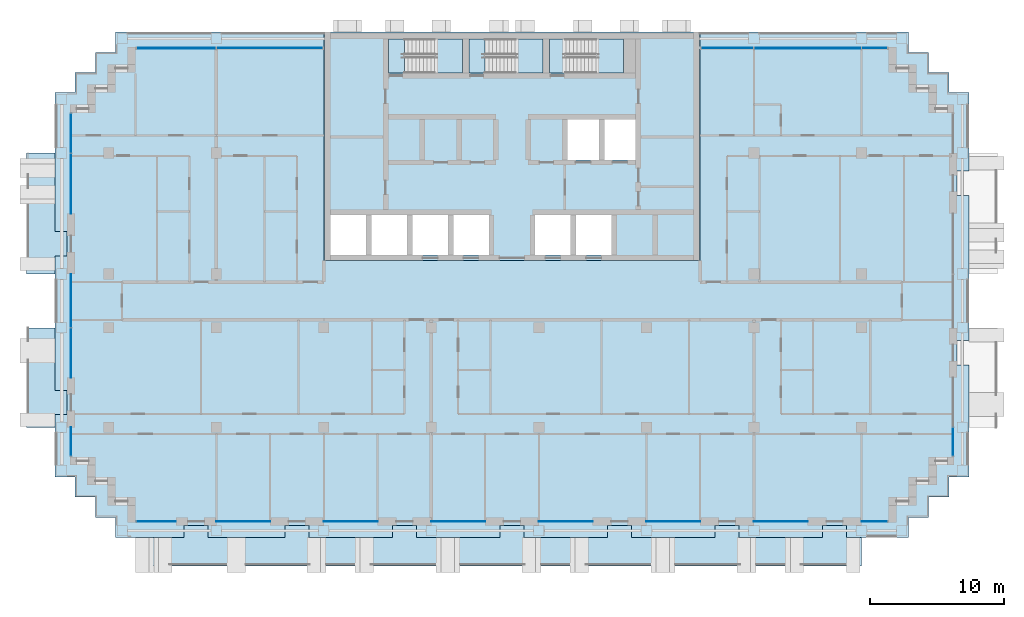
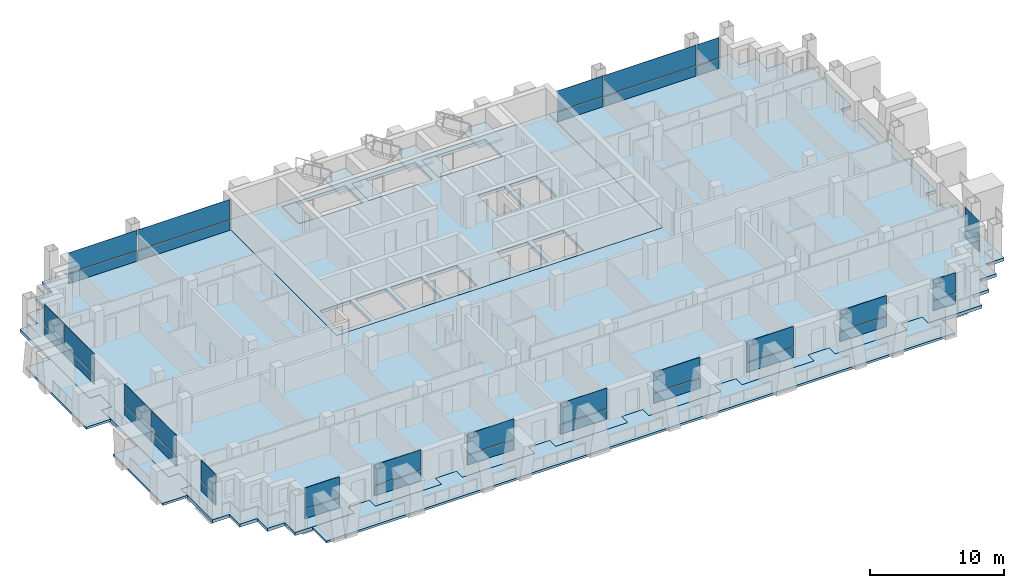
# One storey, part 6 of 17: 38 plates, 11 slabs, 17 elements without a shape of their own.
"""IFC4 building model written with IfcOpenShell, lengths in metres."""

from ifc_helpers import new_model, si_unit, direction, frame, origin, origin_2d, place, context, subcontext, project, spatial, polyline, rectangle, outline, extrude, material, layer, layer_set, type_object, element, aggregate, save


model = new_model("IFC4")

# Units and contexts
model_context = context("Model", 3, precision=1e-05, world=origin(), true_north=direction((0.0, 1.0)))
body_context = subcontext(model_context, "Body", "Model", "MODEL_VIEW")
ifc_project = project(units=[si_unit("LENGTHUNIT", "METRE"), si_unit("AREAUNIT", "SQUARE_METRE"), si_unit("VOLUMEUNIT", "CUBIC_METRE"), si_unit("PLANEANGLEUNIT", "RADIAN"), si_unit("MASSUNIT", "GRAM", prefix="KILO")], contexts=[model_context])

# Site, building, storey
site_placement = place(None, origin())
site = spatial("IfcSite", under=ifc_project, at=site_placement, CompositionType="ELEMENT")
building_placement = place(site_placement, origin())
building = spatial("IfcBuilding", under=site, at=building_placement, Name="Vidyagriha Tower", CompositionType="ELEMENT")
storey_placement = place(building_placement, frame((0.0, 0.0, 148.60009765625)))
storey = spatial("IfcBuildingStorey", under=building, at=storey_placement, Name="L39", CompositionType="ELEMENT", Elevation=148.60009765625)

# Curtain wall, plates
ifc_material_1 = material(Name="Aluminium and glass curtain wall", Category="aluminium")
curtain_wall_type = type_object("IfcCurtainWallType", Name="Dwelling skin unitised curtain wall", PredefinedType="USERDEFINED", material=ifc_material_1)
curtain_wall_1_placement = place(storey_placement, origin())
curtain_wall_1 = element("IfcCurtainWall", 1, at=curtain_wall_1_placement, inside=storey, type_object=curtain_wall_type, Name="CW1 dwelling skin", ObjectType="UNITISED", PredefinedType="USERDEFINED")
ifc_material_2 = material(Name="Glass dark ceramic-fritted spandrel", Category="glass")
ifc_layer_1 = layer(ifc_material_2, 0.0400390625)
ifc_layer_set_1 = layer_set([ifc_layer_1], Name="Glass dark ceramic-fritted spandrel")
plate_type_1 = type_object("IfcPlateType", Name="Ceramic-fritted spandrel panel", PredefinedType="CURTAIN_PANEL", material=ifc_layer_set_1)
plate_1_placement = place(storey_placement, frame((26.982421875, 18.800048828125, -0.000244140625), z_axis=(0.0, 0.0, 1.0), x_axis=(-1.0, 0.0, 0.0)))
plate_1 = element("IfcPlate", 2, at=plate_1_placement, type_object=plate_type_1, Name="CW1 panel 1.1", PredefinedType="CURTAIN_PANEL", context=body_context, shape_type="SweptSolid", body=[
    extrude(rectangle(XDim=1.89501953125, YDim=0.0400390625, at=origin_2d()), origin(), (0.0, 0.0, 1.0), 0.85009765625),
])
plate_2_placement = place(storey_placement, frame((16.017578125, 18.800048828125, -0.000244140625), z_axis=(0.0, 0.0, 1.0), x_axis=(-1.0, 0.0, 0.0)))
plate_2 = element("IfcPlate", 3, at=plate_2_placement, type_object=plate_type_1, Name="CW1 panel 3.1", PredefinedType="CURTAIN_PANEL", context=body_context, shape_type="SweptSolid", body=[
    extrude(rectangle(XDim=3.89501953125, YDim=0.0400390625, at=origin_2d()), origin(), (0.0, 0.0, 1.0), 0.85009765625),
])

# Curtain wall, plate
curtain_wall_2_placement = place(storey_placement, origin())
curtain_wall_2 = element("IfcCurtainWall", 4, at=curtain_wall_2_placement, inside=storey, type_object=curtain_wall_type, Name="CW1 dwelling skin", ObjectType="UNITISED", PredefinedType="USERDEFINED")
plate_3_placement = place(storey_placement, frame((-18.017578125, 18.800048828125, -0.000244140625), z_axis=(0.0, 0.0, 1.0), x_axis=(-1.0, 0.0, 0.0)))
plate_3 = element("IfcPlate", 5, at=plate_3_placement, type_object=plate_type_1, Name="CW1 panel 1.1", PredefinedType="CURTAIN_PANEL", context=body_context, shape_type="SweptSolid", body=[
    extrude(rectangle(XDim=7.89501953125, YDim=0.0400390625, at=origin_2d()), origin(), (0.0, 0.0, 1.0), 0.85009765625),
])

# Curtain wall, plates
curtain_wall_3_placement = place(storey_placement, origin())
curtain_wall_3 = element("IfcCurtainWall", 6, at=curtain_wall_3_placement, inside=storey, type_object=curtain_wall_type, Name="CW1 dwelling skin", ObjectType="UNITISED", PredefinedType="USERDEFINED")
plate_4_placement = place(storey_placement, frame((-32.800048828125, 12.482421875, -0.000244140625), z_axis=(0.0, 0.0, 1.0), x_axis=(0.0, -1.0, 0.0)))
plate_4 = element("IfcPlate", 7, at=plate_4_placement, type_object=plate_type_1, Name="CW1 panel 1.1", PredefinedType="CURTAIN_PANEL", context=body_context, shape_type="SweptSolid", body=[
    extrude(rectangle(XDim=2.89501953125, YDim=0.0400390625, at=origin_2d()), origin(), (0.0, 0.0, 1.0), 0.85009765625),
])
plate_5_placement = place(storey_placement, frame((-32.800048828125, 8.732421875, -0.000244140625), z_axis=(0.0, 0.0, 1.0), x_axis=(0.0, -1.0, 0.0)))
plate_5 = element("IfcPlate", 8, at=plate_5_placement, type_object=plate_type_1, Name="CW1 panel 2.1", PredefinedType="CURTAIN_PANEL", context=body_context, shape_type="SweptSolid", body=[
    extrude(rectangle(XDim=4.465087890625, YDim=0.0400390625, at=origin_2d()), origin(), (0.0, 0.0, 1.0), 0.85009765625),
])

# Curtain wall, plate
curtain_wall_4_placement = place(storey_placement, origin())
curtain_wall_4 = element("IfcCurtainWall", 9, at=curtain_wall_4_placement, inside=storey, type_object=curtain_wall_type, Name="CW1 dwelling skin", ObjectType="UNITISED", PredefinedType="USERDEFINED")
plate_6_placement = place(storey_placement, frame((-32.800048828125, -10.465087890625, -0.000244140625), z_axis=(0.0, 0.0, 1.0), x_axis=(0.0, -1.0, 0.0)))
plate_6 = element("IfcPlate", 10, at=plate_6_placement, type_object=plate_type_1, Name="CW1 panel 1.1", PredefinedType="CURTAIN_PANEL", context=body_context, shape_type="SweptSolid", body=[
    extrude(rectangle(XDim=2.1298828125, YDim=0.0400390625, at=origin_2d()), origin(), (0.0, 0.0, 1.0), 0.85009765625),
])

curtain_wall_5_placement = place(storey_placement, origin())
curtain_wall_5 = element("IfcCurtainWall", 11, at=curtain_wall_5_placement, inside=storey, type_object=curtain_wall_type, Name="CW1 dwelling skin", ObjectType="UNITISED", PredefinedType="USERDEFINED")
plate_7_placement = place(storey_placement, frame((-26.465087890625, -16.39990234375, -0.000244140625)))
plate_7 = element("IfcPlate", 12, at=plate_7_placement, type_object=plate_type_1, Name="CW1 panel 1.1", PredefinedType="CURTAIN_PANEL", context=body_context, shape_type="SweptSolid", body=[
    extrude(rectangle(XDim=2.929931640625, YDim=0.0400390625, at=origin_2d()), origin(), (0.0, 0.0, 1.0), 0.85009765625),
])

curtain_wall_6_placement = place(storey_placement, origin())
curtain_wall_6 = element("IfcCurtainWall", 13, at=curtain_wall_6_placement, inside=storey, type_object=curtain_wall_type, Name="CW1 dwelling skin", ObjectType="UNITISED", PredefinedType="USERDEFINED")
plate_8_placement = place(storey_placement, frame((-12.0, -16.39990234375, -0.000244140625)))
plate_8 = element("IfcPlate", 14, at=plate_8_placement, type_object=plate_type_1, Name="CW1 panel 1.1", PredefinedType="CURTAIN_PANEL", context=body_context, shape_type="SweptSolid", body=[
    extrude(rectangle(XDim=4.0, YDim=0.0400390625, at=origin_2d()), origin(), (0.0, 0.0, 1.0), 0.85009765625),
])

curtain_wall_7_placement = place(storey_placement, origin())
curtain_wall_7 = element("IfcCurtainWall", 15, at=curtain_wall_7_placement, inside=storey, type_object=curtain_wall_type, Name="CW1 dwelling skin", ObjectType="UNITISED", PredefinedType="USERDEFINED")
plate_9_placement = place(storey_placement, frame((4.0, -16.39990234375, -0.000244140625)))
plate_9 = element("IfcPlate", 16, at=plate_9_placement, type_object=plate_type_1, Name="CW1 panel 1.1", PredefinedType="CURTAIN_PANEL", context=body_context, shape_type="SweptSolid", body=[
    extrude(rectangle(XDim=4.0, YDim=0.0400390625, at=origin_2d()), origin(), (0.0, 0.0, 1.0), 0.85009765625),
])

curtain_wall_8_placement = place(storey_placement, origin())
curtain_wall_8 = element("IfcCurtainWall", 17, at=curtain_wall_8_placement, inside=storey, type_object=curtain_wall_type, Name="CW1 dwelling skin", ObjectType="UNITISED", PredefinedType="USERDEFINED")
plate_10_placement = place(storey_placement, frame((20.0, -16.39990234375, -0.000244140625)))
plate_10 = element("IfcPlate", 18, at=plate_10_placement, type_object=plate_type_1, Name="CW1 panel 1.1", PredefinedType="CURTAIN_PANEL", context=body_context, shape_type="SweptSolid", body=[
    extrude(rectangle(XDim=4.0, YDim=0.0400390625, at=origin_2d()), origin(), (0.0, 0.0, 1.0), 0.85009765625),
])

curtain_wall_9_placement = place(storey_placement, origin())
curtain_wall_9 = element("IfcCurtainWall", 19, at=curtain_wall_9_placement, inside=storey, type_object=curtain_wall_type, Name="CW1 dwelling skin", ObjectType="UNITISED", PredefinedType="USERDEFINED")
plate_11_placement = place(storey_placement, frame((26.965087890625, -16.39990234375, -0.000244140625)))
plate_11 = element("IfcPlate", 20, at=plate_11_placement, type_object=plate_type_1, Name="CW1 panel 1.1", PredefinedType="CURTAIN_PANEL", context=body_context, shape_type="SweptSolid", body=[
    extrude(rectangle(XDim=1.929931640625, YDim=0.0400390625, at=origin_2d()), origin(), (0.0, 0.0, 1.0), 0.85009765625),
])

curtain_wall_10_placement = place(storey_placement, origin())
curtain_wall_10 = element("IfcCurtainWall", 21, at=curtain_wall_10_placement, inside=storey, type_object=curtain_wall_type, Name="CW1 dwelling skin", ObjectType="UNITISED", PredefinedType="USERDEFINED")
plate_12_placement = place(storey_placement, frame((32.800048828125, -10.482421875, -0.000244140625), z_axis=(0.0, 0.0, 1.0), x_axis=(0.0, 1.0, 0.0)))
plate_12 = element("IfcPlate", 22, at=plate_12_placement, type_object=plate_type_1, Name="CW1 panel 1.1", PredefinedType="CURTAIN_PANEL", context=body_context, shape_type="SweptSolid", body=[
    extrude(rectangle(XDim=2.094970703125, YDim=0.0400390625, at=origin_2d()), origin(), (0.0, 0.0, 1.0), 0.85009765625),
])

# Slab
ifc_material_3 = material(Name="Concrete C60/75", Category="concrete")
ifc_layer_2 = layer(ifc_material_3, 0.280029296875)
ifc_layer_set_2 = layer_set([ifc_layer_2], Name="Concrete C60/75")
slab_type_1 = type_object("IfcSlabType", Name="Core floor slab 280 mm", PredefinedType="FLOOR", material=ifc_layer_set_2)
slab_1_placement = place(storey_placement, frame((0.0, 0.0, -0.280029296875)))
element("IfcSlab", 23, at=slab_1_placement, inside=storey, type_object=slab_type_1, Name="L39 core floor 1", PredefinedType="FLOOR", context=body_context, shape_type="SweptSolid", body=[
    extrude(outline(polyline([(-14.0, 3.0), (-14.0, 20.0), (14.0, 20.0), (14.0, 3.0), (-14.0, 3.0)]), holes=[polyline([(9.199951171875, 13.5), (6.86669921875, 13.5), (6.86669921875, 10.5), (9.199951171875, 10.5), (9.199951171875, 13.5)]), polyline([(4.0, 19.5), (2.800048828125, 19.5), (2.800048828125, 16.949951171875), (4.0, 16.949951171875), (8.300048828125, 16.949951171875), (8.300048828125, 19.5), (4.0, 19.5)]), polyline([(7.4111328125, 6.39990234375), (4.7666015625, 6.39990234375), (4.7666015625, 3.39990234375), (7.4111328125, 3.39990234375), (7.4111328125, 6.39990234375)]), polyline([(6.466796875, 13.5), (4.13330078125, 13.5), (4.13330078125, 10.5), (6.466796875, 10.5), (6.466796875, 13.5)]), polyline([(1.72216796875, 6.39990234375), (1.72216796875, 3.39990234375), (4.36669921875, 3.39990234375), (4.36669921875, 6.39990234375), (1.72216796875, 6.39990234375)]), polyline([(-2.0, 16.949951171875), (2.300048828125, 16.949951171875), (2.300048828125, 19.5), (-2.0, 19.5), (-3.199951171875, 19.5), (-3.199951171875, 16.949951171875), (-2.0, 16.949951171875)]), polyline([(-1.72216796875, 6.39990234375), (-4.36669921875, 6.39990234375), (-4.36669921875, 3.39990234375), (-1.72216796875, 3.39990234375), (-1.72216796875, 6.39990234375)]), polyline([(-8.0, 19.5), (-9.199951171875, 19.5), (-9.199951171875, 16.949951171875), (-8.0, 16.949951171875), (-3.699951171875, 16.949951171875), (-3.699951171875, 19.5), (-8.0, 19.5)]), polyline([(-4.7666015625, 6.39990234375), (-7.4111328125, 6.39990234375), (-7.4111328125, 3.39990234375), (-4.7666015625, 3.39990234375), (-4.7666015625, 6.39990234375)]), polyline([(-7.81103515625, 6.39990234375), (-10.45556640625, 6.39990234375), (-10.45556640625, 3.39990234375), (-7.81103515625, 3.39990234375), (-7.81103515625, 6.39990234375)]), polyline([(-13.5, 6.39990234375), (-13.5, 3.39990234375), (-10.855712890625, 3.39990234375), (-10.855712890625, 6.39990234375), (-13.5, 6.39990234375)])]), origin(), (0.0, 0.0, 1.0), 0.280029296875),
])

# Plate
ifc_material_4 = material(Name="Glass dark ceramic-fritted", Category="glass")
ifc_layer_3 = layer(ifc_material_4, 0.028076171875)
ifc_layer_set_3 = layer_set([ifc_layer_3], Name="Glass dark ceramic-fritted")
plate_type_2 = type_object("IfcPlateType", Name="Dark ceramic-fritted vision glass panel", PredefinedType="CURTAIN_PANEL", material=ifc_layer_set_3)
plate_13_placement = place(storey_placement, frame((26.982421875, 18.800048828125, 0.949951171875), z_axis=(0.0, 0.0, 1.0), x_axis=(-1.0, 0.0, 0.0)))
plate_13 = element("IfcPlate", 24, at=plate_13_placement, type_object=plate_type_2, Name="CW1 panel 1.2", PredefinedType="CURTAIN_PANEL", context=body_context, shape_type="SweptSolid", body=[
    extrude(rectangle(XDim=1.89501953125, YDim=0.028076171875, at=origin_2d()), origin(), (0.0, 0.0, 1.0), 1.85009765625),
])

plate_14_placement = place(storey_placement, frame((22.0, 18.800048828125, 0.949951171875), z_axis=(0.0, 0.0, 1.0), x_axis=(-1.0, 0.0, 0.0)))
plate_14 = element("IfcPlate", 25, at=plate_14_placement, type_object=plate_type_2, Name="CW1 panel 2.2", PredefinedType="CURTAIN_PANEL", context=body_context, shape_type="SweptSolid", body=[
    extrude(rectangle(XDim=7.929931640625, YDim=0.028076171875, at=origin_2d()), origin(), (0.0, 0.0, 1.0), 1.85009765625),
])

plate_15_placement = place(storey_placement, frame((16.017578125, 18.800048828125, 0.949951171875), z_axis=(0.0, 0.0, 1.0), x_axis=(-1.0, 0.0, 0.0)))
plate_15 = element("IfcPlate", 26, at=plate_15_placement, type_object=plate_type_2, Name="CW1 panel 3.2", PredefinedType="CURTAIN_PANEL", context=body_context, shape_type="SweptSolid", body=[
    extrude(rectangle(XDim=3.89501953125, YDim=0.028076171875, at=origin_2d()), origin(), (0.0, 0.0, 1.0), 1.85009765625),
])

plate_16_placement = place(storey_placement, frame((-18.017578125, 18.800048828125, 0.949951171875), z_axis=(0.0, 0.0, 1.0), x_axis=(-1.0, 0.0, 0.0)))
plate_16 = element("IfcPlate", 27, at=plate_16_placement, type_object=plate_type_2, Name="CW1 panel 1.2", PredefinedType="CURTAIN_PANEL", context=body_context, shape_type="SweptSolid", body=[
    extrude(rectangle(XDim=7.89501953125, YDim=0.028076171875, at=origin_2d()), origin(), (0.0, 0.0, 1.0), 1.85009765625),
])

plate_17_placement = place(storey_placement, frame((-24.982421875, 18.800048828125, 0.949951171875), z_axis=(0.0, 0.0, 1.0), x_axis=(-1.0, 0.0, 0.0)))
plate_17 = element("IfcPlate", 28, at=plate_17_placement, type_object=plate_type_2, Name="CW1 panel 2.2", PredefinedType="CURTAIN_PANEL", context=body_context, shape_type="SweptSolid", body=[
    extrude(rectangle(XDim=5.89501953125, YDim=0.028076171875, at=origin_2d()), origin(), (0.0, 0.0, 1.0), 1.85009765625),
])

plate_18_placement = place(storey_placement, frame((-32.800048828125, 12.482421875, 0.949951171875), z_axis=(0.0, 0.0, 1.0), x_axis=(0.0, -1.0, 0.0)))
plate_18 = element("IfcPlate", 29, at=plate_18_placement, type_object=plate_type_2, Name="CW1 panel 1.2", PredefinedType="CURTAIN_PANEL", context=body_context, shape_type="SweptSolid", body=[
    extrude(rectangle(XDim=2.89501953125, YDim=0.028076171875, at=origin_2d()), origin(), (0.0, 0.0, 1.0), 1.85009765625),
])

plate_19_placement = place(storey_placement, frame((-32.800048828125, 8.732421875, 0.949951171875), z_axis=(0.0, 0.0, 1.0), x_axis=(0.0, -1.0, 0.0)))
plate_19 = element("IfcPlate", 30, at=plate_19_placement, type_object=plate_type_2, Name="CW1 panel 2.2", PredefinedType="CURTAIN_PANEL", context=body_context, shape_type="SweptSolid", body=[
    extrude(rectangle(XDim=4.465087890625, YDim=0.028076171875, at=origin_2d()), origin(), (0.0, 0.0, 1.0), 1.85009765625),
])

aggregate(curtain_wall_3, [plate_4, plate_18, plate_5, plate_19])

# Curtain wall, plates
curtain_wall_11_placement = place(storey_placement, origin())
curtain_wall_11 = element("IfcCurtainWall", 31, at=curtain_wall_11_placement, inside=storey, type_object=curtain_wall_type, Name="CW1 dwelling skin", ObjectType="UNITISED", PredefinedType="USERDEFINED")
plate_20_placement = place(storey_placement, frame((-32.800048828125, 0.017578125, 0.949951171875), z_axis=(0.0, 0.0, 1.0), x_axis=(0.0, -1.0, 0.0)))
plate_20 = element("IfcPlate", 32, at=plate_20_placement, type_object=plate_type_2, Name="CW1 panel 1.2", PredefinedType="CURTAIN_PANEL", context=body_context, shape_type="SweptSolid", body=[
    extrude(rectangle(XDim=3.965087890625, YDim=0.028076171875, at=origin_2d()), origin(), (0.0, 0.0, 1.0), 1.85009765625),
])
plate_21_placement = place(storey_placement, frame((-32.800048828125, -3.867431640625, 0.949951171875), z_axis=(0.0, 0.0, 1.0), x_axis=(0.0, -1.0, 0.0)))
plate_21 = element("IfcPlate", 33, at=plate_21_placement, type_object=plate_type_2, Name="CW1 panel 2.2", PredefinedType="CURTAIN_PANEL", context=body_context, shape_type="SweptSolid", body=[
    extrude(rectangle(XDim=3.6650390625, YDim=0.028076171875, at=origin_2d()), origin(), (0.0, 0.0, 1.0), 1.85009765625),
])

# Plate
plate_22_placement = place(storey_placement, frame((-32.800048828125, -10.465087890625, 0.949951171875), z_axis=(0.0, 0.0, 1.0), x_axis=(0.0, -1.0, 0.0)))
plate_22 = element("IfcPlate", 34, at=plate_22_placement, type_object=plate_type_2, Name="CW1 panel 1.2", PredefinedType="CURTAIN_PANEL", context=body_context, shape_type="SweptSolid", body=[
    extrude(rectangle(XDim=2.1298828125, YDim=0.028076171875, at=origin_2d()), origin(), (0.0, 0.0, 1.0), 1.85009765625),
])

aggregate(curtain_wall_4, [plate_6, plate_22])

plate_23_placement = place(storey_placement, frame((-26.465087890625, -16.39990234375, 0.949951171875)))
plate_23 = element("IfcPlate", 35, at=plate_23_placement, type_object=plate_type_2, Name="CW1 panel 1.2", PredefinedType="CURTAIN_PANEL", context=body_context, shape_type="SweptSolid", body=[
    extrude(rectangle(XDim=2.929931640625, YDim=0.028076171875, at=origin_2d()), origin(), (0.0, 0.0, 1.0), 1.85009765625),
])

aggregate(curtain_wall_5, [plate_7, plate_23])

# Curtain wall, plate
curtain_wall_12_placement = place(storey_placement, origin())
curtain_wall_12 = element("IfcCurtainWall", 36, at=curtain_wall_12_placement, inside=storey, type_object=curtain_wall_type, Name="CW1 dwelling skin", ObjectType="UNITISED", PredefinedType="USERDEFINED")
plate_24_placement = place(storey_placement, frame((-20.0, -16.39990234375, 0.949951171875)))
plate_24 = element("IfcPlate", 37, at=plate_24_placement, type_object=plate_type_2, Name="CW1 panel 1.2", PredefinedType="CURTAIN_PANEL", context=body_context, shape_type="SweptSolid", body=[
    extrude(rectangle(XDim=4.0, YDim=0.028076171875, at=origin_2d()), origin(), (0.0, 0.0, 1.0), 1.85009765625),
])

# Plate
plate_25_placement = place(storey_placement, frame((-12.0, -16.39990234375, 0.949951171875)))
plate_25 = element("IfcPlate", 38, at=plate_25_placement, type_object=plate_type_2, Name="CW1 panel 1.2", PredefinedType="CURTAIN_PANEL", context=body_context, shape_type="SweptSolid", body=[
    extrude(rectangle(XDim=4.0, YDim=0.028076171875, at=origin_2d()), origin(), (0.0, 0.0, 1.0), 1.85009765625),
])

aggregate(curtain_wall_6, [plate_8, plate_25])

# Curtain wall, plate
curtain_wall_13_placement = place(storey_placement, origin())
curtain_wall_13 = element("IfcCurtainWall", 39, at=curtain_wall_13_placement, inside=storey, type_object=curtain_wall_type, Name="CW1 dwelling skin", ObjectType="UNITISED", PredefinedType="USERDEFINED")
plate_26_placement = place(storey_placement, frame((-4.0, -16.39990234375, 0.949951171875)))
plate_26 = element("IfcPlate", 40, at=plate_26_placement, type_object=plate_type_2, Name="CW1 panel 1.2", PredefinedType="CURTAIN_PANEL", context=body_context, shape_type="SweptSolid", body=[
    extrude(rectangle(XDim=4.0, YDim=0.028076171875, at=origin_2d()), origin(), (0.0, 0.0, 1.0), 1.85009765625),
])

# Plate
plate_27_placement = place(storey_placement, frame((4.0, -16.39990234375, 0.949951171875)))
plate_27 = element("IfcPlate", 41, at=plate_27_placement, type_object=plate_type_2, Name="CW1 panel 1.2", PredefinedType="CURTAIN_PANEL", context=body_context, shape_type="SweptSolid", body=[
    extrude(rectangle(XDim=4.0, YDim=0.028076171875, at=origin_2d()), origin(), (0.0, 0.0, 1.0), 1.85009765625),
])

aggregate(curtain_wall_7, [plate_9, plate_27])

# Curtain wall, plate
curtain_wall_14_placement = place(storey_placement, origin())
curtain_wall_14 = element("IfcCurtainWall", 42, at=curtain_wall_14_placement, inside=storey, type_object=curtain_wall_type, Name="CW1 dwelling skin", ObjectType="UNITISED", PredefinedType="USERDEFINED")
plate_28_placement = place(storey_placement, frame((12.0, -16.39990234375, 0.949951171875)))
plate_28 = element("IfcPlate", 43, at=plate_28_placement, type_object=plate_type_2, Name="CW1 panel 1.2", PredefinedType="CURTAIN_PANEL", context=body_context, shape_type="SweptSolid", body=[
    extrude(rectangle(XDim=4.0, YDim=0.028076171875, at=origin_2d()), origin(), (0.0, 0.0, 1.0), 1.85009765625),
])

# Plate
plate_29_placement = place(storey_placement, frame((20.0, -16.39990234375, 0.949951171875)))
plate_29 = element("IfcPlate", 44, at=plate_29_placement, type_object=plate_type_2, Name="CW1 panel 1.2", PredefinedType="CURTAIN_PANEL", context=body_context, shape_type="SweptSolid", body=[
    extrude(rectangle(XDim=4.0, YDim=0.028076171875, at=origin_2d()), origin(), (0.0, 0.0, 1.0), 1.85009765625),
])

aggregate(curtain_wall_8, [plate_10, plate_29])

plate_30_placement = place(storey_placement, frame((26.965087890625, -16.39990234375, 0.949951171875)))
plate_30 = element("IfcPlate", 45, at=plate_30_placement, type_object=plate_type_2, Name="CW1 panel 1.2", PredefinedType="CURTAIN_PANEL", context=body_context, shape_type="SweptSolid", body=[
    extrude(rectangle(XDim=1.929931640625, YDim=0.028076171875, at=origin_2d()), origin(), (0.0, 0.0, 1.0), 1.85009765625),
])

aggregate(curtain_wall_9, [plate_11, plate_30])

plate_31_placement = place(storey_placement, frame((32.800048828125, -10.482421875, 0.949951171875), z_axis=(0.0, 0.0, 1.0), x_axis=(0.0, 1.0, 0.0)))
plate_31 = element("IfcPlate", 46, at=plate_31_placement, type_object=plate_type_2, Name="CW1 panel 1.2", PredefinedType="CURTAIN_PANEL", context=body_context, shape_type="SweptSolid", body=[
    extrude(rectangle(XDim=2.094970703125, YDim=0.028076171875, at=origin_2d()), origin(), (0.0, 0.0, 1.0), 1.85009765625),
])

aggregate(curtain_wall_10, [plate_12, plate_31])

# Slabs
ifc_material_5 = material(Name="Concrete C40/50", Category="concrete")
ifc_layer_4 = layer(ifc_material_5, 0.280029296875)
ifc_layer_set_4 = layer_set([ifc_layer_4], Name="Concrete C40/50")
slab_type_2 = type_object("IfcSlabType", Name="Exit stair floor landing 280 mm", PredefinedType="LANDING", material=ifc_layer_set_4)
slab_2_placement = place(storey_placement, frame((0.0, 0.0, -0.280029296875)))
element("IfcSlab", 47, at=slab_2_placement, inside=storey, type_object=slab_type_2, Name="ST1 floor landing L39", PredefinedType="LANDING", context=body_context, shape_type="SweptSolid", body=[
    extrude(outline(polyline([(-9.199951171875, 16.949951171875), (-8.0, 16.949951171875), (-8.0, 19.5), (-9.199951171875, 19.5), (-9.199951171875, 16.949951171875)])), origin(), (0.0, 0.0, 1.0), 0.280029296875),
])
slab_3_placement = place(storey_placement, frame((0.0, 0.0, -0.280029296875)))
element("IfcSlab", 48, at=slab_3_placement, inside=storey, type_object=slab_type_2, Name="ST2 floor landing L39", PredefinedType="LANDING", context=body_context, shape_type="SweptSolid", body=[
    extrude(outline(polyline([(-3.199951171875, 16.949951171875), (-2.0, 16.949951171875), (-2.0, 19.5), (-3.199951171875, 19.5), (-3.199951171875, 16.949951171875)])), origin(), (0.0, 0.0, 1.0), 0.280029296875),
])
slab_4_placement = place(storey_placement, frame((0.0, 0.0, -0.280029296875)))
element("IfcSlab", 49, at=slab_4_placement, inside=storey, type_object=slab_type_2, Name="ST3 floor landing L39", PredefinedType="LANDING", context=body_context, shape_type="SweptSolid", body=[
    extrude(outline(polyline([(2.800048828125, 16.949951171875), (4.0, 16.949951171875), (4.0, 19.5), (2.800048828125, 19.5), (2.800048828125, 16.949951171875)])), origin(), (0.0, 0.0, 1.0), 0.280029296875),
])

# Stair, slab
ifc_material_6 = material(Name="Concrete C40/50", Category="concrete")
stair_type = type_object("IfcStairType", Name="Exit stair, half-turn, precast flights", PredefinedType="HALF_TURN_STAIR", material=ifc_material_6)
stair_1_placement = place(storey_placement, origin())
stair_1 = element("IfcStair", 50, at=stair_1_placement, inside=storey, type_object=stair_type, Name="L39 Exit Stair ST1", PredefinedType="HALF_TURN_STAIR")
ifc_material_7 = material(Name="Concrete C40/50", Category="concrete")
ifc_layer_5 = layer(ifc_material_7, 0.199951171875)
ifc_layer_set_5 = layer_set([ifc_layer_5], Name="Concrete C40/50")
slab_type_3 = type_object("IfcSlabType", Name="Exit stair landing 200 mm", PredefinedType="LANDING", material=ifc_layer_set_5)
slab_5_placement = place(storey_placement, frame((0.0, 0.0, 1.39990234375)))
slab_5 = element("IfcSlab", 51, at=slab_5_placement, type_object=slab_type_3, Name="ST1 landing 1", PredefinedType="LANDING", context=body_context, shape_type="SweptSolid", body=[
    extrude(outline(polyline([(-5.760009765625, 16.949951171875), (-3.699951171875, 16.949951171875), (-3.699951171875, 19.5), (-5.760009765625, 19.5), (-5.760009765625, 16.949951171875)])), origin(), (0.0, 0.0, 1.0), 0.199951171875),
])
aggregate(stair_1, [slab_5])

stair_2_placement = place(storey_placement, origin())
stair_2 = element("IfcStair", 52, at=stair_2_placement, inside=storey, type_object=stair_type, Name="L39 Exit Stair ST2", PredefinedType="HALF_TURN_STAIR")
slab_6_placement = place(storey_placement, frame((0.0, 0.0, 1.39990234375)))
slab_6 = element("IfcSlab", 53, at=slab_6_placement, type_object=slab_type_3, Name="ST2 landing 1", PredefinedType="LANDING", context=body_context, shape_type="SweptSolid", body=[
    extrude(outline(polyline([(0.239990234375, 16.949951171875), (2.300048828125, 16.949951171875), (2.300048828125, 19.5), (0.239990234375, 19.5), (0.239990234375, 16.949951171875)])), origin(), (0.0, 0.0, 1.0), 0.199951171875),
])
aggregate(stair_2, [slab_6])

stair_3_placement = place(storey_placement, origin())
stair_3 = element("IfcStair", 54, at=stair_3_placement, inside=storey, type_object=stair_type, Name="L39 Exit Stair ST3", PredefinedType="HALF_TURN_STAIR")
slab_7_placement = place(storey_placement, frame((0.0, 0.0, 1.39990234375)))
slab_7 = element("IfcSlab", 55, at=slab_7_placement, type_object=slab_type_3, Name="ST3 landing 1", PredefinedType="LANDING", context=body_context, shape_type="SweptSolid", body=[
    extrude(outline(polyline([(6.239990234375, 16.949951171875), (8.300048828125, 16.949951171875), (8.300048828125, 19.5), (6.239990234375, 19.5), (6.239990234375, 16.949951171875)])), origin(), (0.0, 0.0, 1.0), 0.199951171875),
])
aggregate(stair_3, [slab_7])

# Plate
ifc_material_8 = material(Name="Aluminium black anodised", Category="aluminium")
ifc_layer_6 = layer(ifc_material_8, 0.06005859375)
ifc_layer_set_6 = layer_set([ifc_layer_6], Name="Aluminium black anodised")
plate_type_3 = type_object("IfcPlateType", Name="Operable black-metal vent panel", PredefinedType="CURTAIN_PANEL", material=ifc_layer_set_6)
plate_32_placement = place(storey_placement, frame((22.0, 18.800048828125, -0.000244140625), z_axis=(0.0, 0.0, 1.0), x_axis=(-1.0, 0.0, 0.0)))
plate_32 = element("IfcPlate", 56, at=plate_32_placement, type_object=plate_type_3, Name="CW1 panel 2.1", PredefinedType="CURTAIN_PANEL", context=body_context, shape_type="SweptSolid", body=[
    extrude(rectangle(XDim=7.929931640625, YDim=0.06005859375, at=origin_2d()), origin(), (0.0, 0.0, 1.0), 0.85009765625),
])

aggregate(curtain_wall_1, [plate_1, plate_13, plate_32, plate_14, plate_2, plate_15])

plate_33_placement = place(storey_placement, frame((-24.982421875, 18.800048828125, -0.000244140625), z_axis=(0.0, 0.0, 1.0), x_axis=(-1.0, 0.0, 0.0)))
plate_33 = element("IfcPlate", 57, at=plate_33_placement, type_object=plate_type_3, Name="CW1 panel 2.1", PredefinedType="CURTAIN_PANEL", context=body_context, shape_type="SweptSolid", body=[
    extrude(rectangle(XDim=5.89501953125, YDim=0.06005859375, at=origin_2d()), origin(), (0.0, 0.0, 1.0), 0.85009765625),
])

aggregate(curtain_wall_2, [plate_3, plate_16, plate_33, plate_17])

plate_34_placement = place(storey_placement, frame((-32.800048828125, 0.017578125, -0.000244140625), z_axis=(0.0, 0.0, 1.0), x_axis=(0.0, -1.0, 0.0)))
plate_34 = element("IfcPlate", 58, at=plate_34_placement, type_object=plate_type_3, Name="CW1 panel 1.1", PredefinedType="CURTAIN_PANEL", context=body_context, shape_type="SweptSolid", body=[
    extrude(rectangle(XDim=3.965087890625, YDim=0.06005859375, at=origin_2d()), origin(), (0.0, 0.0, 1.0), 0.85009765625),
])

plate_35_placement = place(storey_placement, frame((-32.800048828125, -3.867431640625, -0.000244140625), z_axis=(0.0, 0.0, 1.0), x_axis=(0.0, -1.0, 0.0)))
plate_35 = element("IfcPlate", 59, at=plate_35_placement, type_object=plate_type_3, Name="CW1 panel 2.1", PredefinedType="CURTAIN_PANEL", context=body_context, shape_type="SweptSolid", body=[
    extrude(rectangle(XDim=3.6650390625, YDim=0.06005859375, at=origin_2d()), origin(), (0.0, 0.0, 1.0), 0.85009765625),
])

aggregate(curtain_wall_11, [plate_34, plate_20, plate_35, plate_21])

plate_36_placement = place(storey_placement, frame((-20.0, -16.39990234375, -0.000244140625)))
plate_36 = element("IfcPlate", 60, at=plate_36_placement, type_object=plate_type_3, Name="CW1 panel 1.1", PredefinedType="CURTAIN_PANEL", context=body_context, shape_type="SweptSolid", body=[
    extrude(rectangle(XDim=4.0, YDim=0.06005859375, at=origin_2d()), origin(), (0.0, 0.0, 1.0), 0.85009765625),
])

aggregate(curtain_wall_12, [plate_36, plate_24])

plate_37_placement = place(storey_placement, frame((-4.0, -16.39990234375, -0.000244140625)))
plate_37 = element("IfcPlate", 61, at=plate_37_placement, type_object=plate_type_3, Name="CW1 panel 1.1", PredefinedType="CURTAIN_PANEL", context=body_context, shape_type="SweptSolid", body=[
    extrude(rectangle(XDim=4.0, YDim=0.06005859375, at=origin_2d()), origin(), (0.0, 0.0, 1.0), 0.85009765625),
])

aggregate(curtain_wall_13, [plate_37, plate_26])

plate_38_placement = place(storey_placement, frame((12.0, -16.39990234375, -0.000244140625)))
plate_38 = element("IfcPlate", 62, at=plate_38_placement, type_object=plate_type_3, Name="CW1 panel 1.1", PredefinedType="CURTAIN_PANEL", context=body_context, shape_type="SweptSolid", body=[
    extrude(rectangle(XDim=4.0, YDim=0.06005859375, at=origin_2d()), origin(), (0.0, 0.0, 1.0), 0.85009765625),
])

aggregate(curtain_wall_14, [plate_38, plate_28])

# Slabs
ifc_material_9 = material(Name="Concrete C50/60", Category="concrete")
ifc_layer_7 = layer(ifc_material_9, 0.280029296875)
ifc_layer_set_7 = layer_set([ifc_layer_7], Name="Concrete C50/60")
slab_type_4 = type_object("IfcSlabType", Name="Post-tensioned flat plate 280", PredefinedType="FLOOR", material=ifc_layer_set_7)
slab_8_placement = place(storey_placement, frame((0.0, 0.0, -0.280029296875)))
element("IfcSlab", 63, at=slab_8_placement, inside=storey, type_object=slab_type_4, Name="st-slab-L39-1", PredefinedType="FLOOR", context=body_context, shape_type="SweptSolid", body=[
    extrude(outline(polyline([(32.5, -14.60009765625), (31.0, -14.60009765625), (31.0, -16.10009765625), (29.5, -16.10009765625), (29.5, -17.60009765625), (24.89990234375, -17.60009765625), (24.89990234375, -16.699951171875), (23.10009765625, -16.699951171875), (23.10009765625, -17.60009765625), (16.89990234375, -17.60009765625), (16.89990234375, -16.699951171875), (15.10009765625, -16.699951171875), (15.10009765625, -17.60009765625), (8.89990234375, -17.60009765625), (8.89990234375, -16.699951171875), (7.10009765625, -16.699951171875), (7.10009765625, -17.60009765625), (0.89990234375, -17.60009765625), (0.89990234375, -16.699951171875), (-0.89990234375, -16.699951171875), (-0.89990234375, -17.60009765625), (-7.10009765625, -17.60009765625), (-7.10009765625, -16.699951171875), (-8.89990234375, -16.699951171875), (-8.89990234375, -17.60009765625), (-15.10009765625, -17.60009765625), (-15.10009765625, -16.699951171875), (-16.89990234375, -16.699951171875), (-16.89990234375, -17.60009765625), (-22.60009765625, -17.60009765625), (-22.60009765625, -16.699951171875), (-24.39990234375, -16.699951171875), (-24.39990234375, -17.60009765625), (-29.5, -17.60009765625), (-29.5, -16.10009765625), (-31.0, -16.10009765625), (-31.0, -14.60009765625), (-32.5, -14.60009765625), (-32.5, -13.10009765625), (-34.0, -13.10009765625), (-34.0, -8.449951171875), (-33.10009765625, -8.449951171875), (-33.10009765625, -6.64990234375), (-34.0, -6.64990234375), (-34.0, 3.35009765625), (-33.10009765625, 3.35009765625), (-33.10009765625, 5.14990234375), (-34.0, 5.14990234375), (-34.0, 15.5), (-32.5, 15.5), (-32.5, 17.0), (-31.0, 17.0), (-31.0, 18.5), (-29.5, 18.5), (-29.5, 20.0), (-14.0, 20.0), (-14.0, 3.0), (14.0, 3.0), (14.0, 20.0), (29.5, 20.0), (29.5, 18.5), (31.0, 18.5), (31.0, 17.0), (32.5, 17.0), (32.5, 15.5), (34.0, 15.5), (34.0, 9.64990234375), (33.10009765625, 9.64990234375), (33.10009765625, 7.85009765625), (34.0, 7.85009765625), (34.0, -2.949951171875), (33.10009765625, -2.949951171875), (33.10009765625, -4.75), (34.0, -4.75), (34.0, -13.10009765625), (32.5, -13.10009765625), (32.5, -14.60009765625)])), origin(), (0.0, 0.0, 1.0), 0.280029296875),
])
ifc_material_10 = material(Name="Precast concrete C40/50", Category="concrete")
ifc_layer_8 = layer(ifc_material_10, 0.199951171875)
ifc_layer_set_8 = layer_set([ifc_layer_8], Name="Precast concrete C40/50")
slab_type_5 = type_object("IfcSlabType", Name="Precast balcony slab 200", PredefinedType="USERDEFINED", material=ifc_layer_set_8)
slab_9_placement = place(storey_placement, frame((0.0, 0.0, -0.2001953125)))
element("IfcSlab", 64, at=slab_9_placement, inside=storey, type_object=slab_type_5, Name="Balcony slab L39 R16.1-1", ObjectType="BALCONY", PredefinedType="USERDEFINED", context=body_context, shape_type="SweptSolid", body=[
    extrude(outline(polyline([(-33.10009765625, 3.35009765625), (-33.10009765625, 5.14990234375), (-34.0, 5.14990234375), (-34.0, 11.0), (-36.10009765625, 11.0), (-36.10009765625, 2.0), (-34.0, 2.0), (-34.0, 3.35009765625), (-33.10009765625, 3.35009765625)])), origin(), (0.0, 0.0, 1.0), 0.2001953125),
])
slab_10_placement = place(storey_placement, frame((0.0, 0.0, -0.2001953125)))
element("IfcSlab", 65, at=slab_10_placement, inside=storey, type_object=slab_type_5, Name="Balcony slab L39 R16.2-2", ObjectType="BALCONY", PredefinedType="USERDEFINED", context=body_context, shape_type="SweptSolid", body=[
    extrude(outline(polyline([(-33.10009765625, -8.449951171875), (-33.10009765625, -6.64990234375), (-34.0, -6.64990234375), (-34.0, -2.0), (-36.10009765625, -2.0), (-36.10009765625, -9.39990234375), (-34.0, -9.39990234375), (-34.0, -8.449951171875), (-33.10009765625, -8.449951171875)])), origin(), (0.0, 0.0, 1.0), 0.2001953125),
])
slab_11_placement = place(storey_placement, frame((0.0, 0.0, -0.2001953125)))
element("IfcSlab", 66, at=slab_11_placement, inside=storey, type_object=slab_type_5, Name="Balcony slab L39 R23.1-7", ObjectType="BALCONY", PredefinedType="USERDEFINED", context=body_context, shape_type="SweptSolid", body=[
    extrude(outline(polyline([(-22.60009765625, -16.699951171875), (-24.39990234375, -16.699951171875), (-24.39990234375, -17.60009765625), (-28.0, -17.60009765625), (-28.0, -19.699951171875), (26.0, -19.699951171875), (26.0, -17.60009765625), (24.89990234375, -17.60009765625), (24.89990234375, -16.699951171875), (23.10009765625, -16.699951171875), (23.10009765625, -17.60009765625), (16.89990234375, -17.60009765625), (16.89990234375, -16.699951171875), (15.10009765625, -16.699951171875), (15.10009765625, -17.60009765625), (8.89990234375, -17.60009765625), (8.89990234375, -16.699951171875), (7.10009765625, -16.699951171875), (7.10009765625, -17.60009765625), (0.89990234375, -17.60009765625), (0.89990234375, -16.699951171875), (-0.89990234375, -16.699951171875), (-0.89990234375, -17.60009765625), (-7.10009765625, -17.60009765625), (-7.10009765625, -16.699951171875), (-8.89990234375, -16.699951171875), (-8.89990234375, -17.60009765625), (-15.10009765625, -17.60009765625), (-15.10009765625, -16.699951171875), (-16.89990234375, -16.699951171875), (-16.89990234375, -17.60009765625), (-22.60009765625, -17.60009765625), (-22.60009765625, -16.699951171875)])), origin(), (0.0, 0.0, 1.0), 0.2001953125),
])

save(model, "model.ifc")
